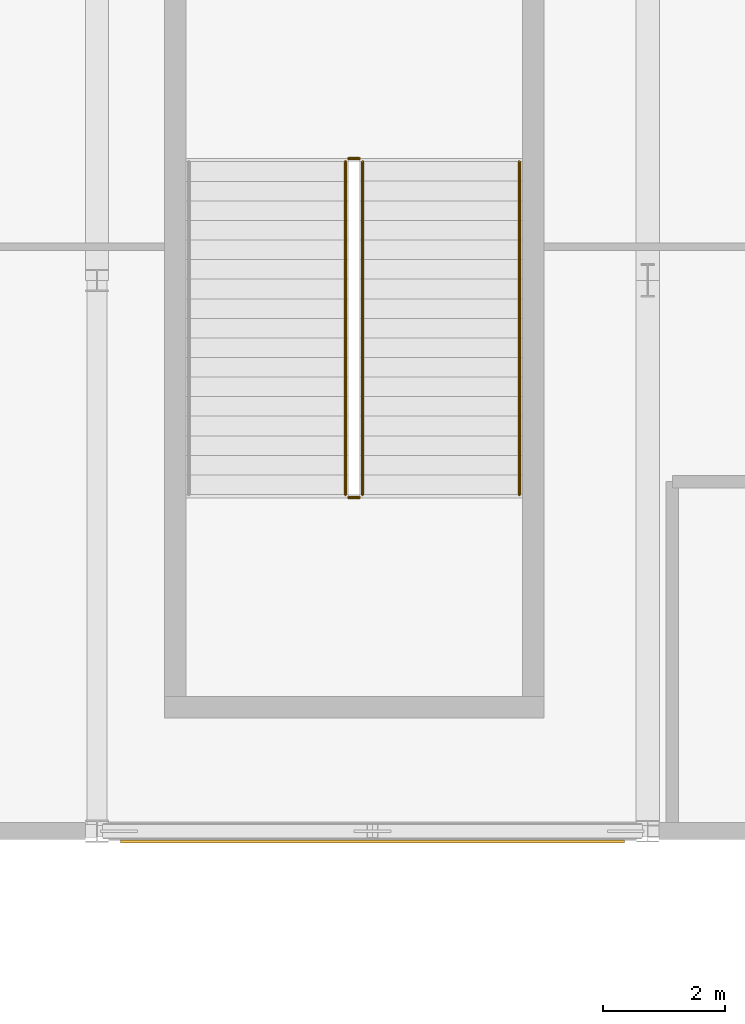
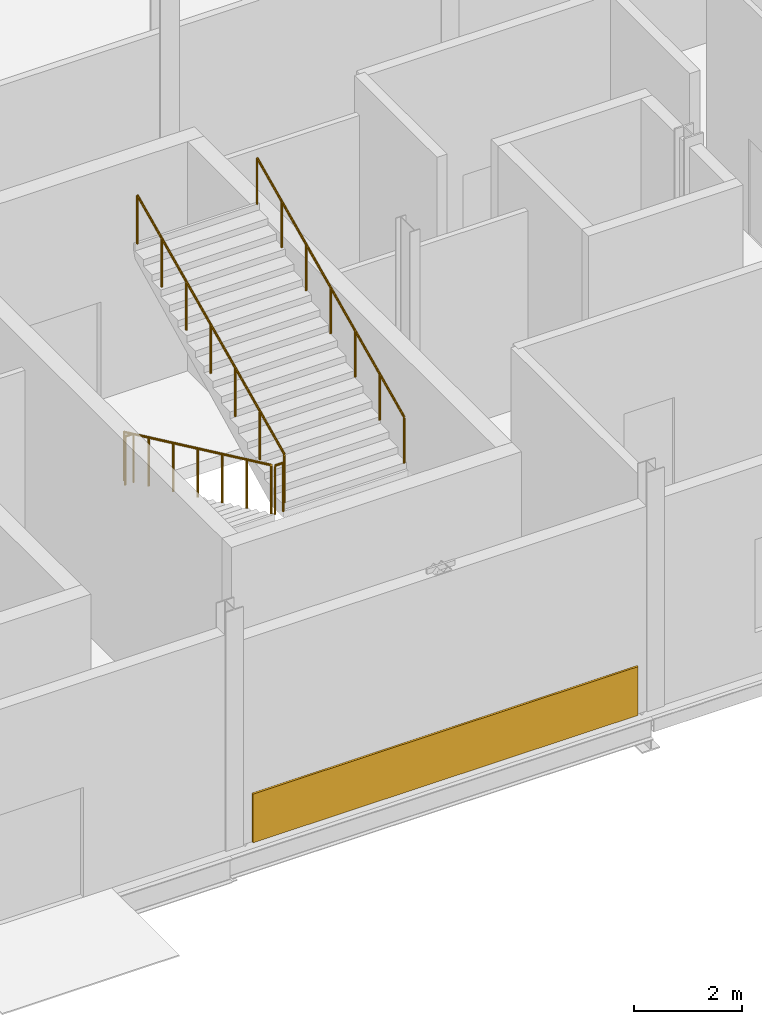
# One storey, part 84 of 94: 5 railings, 1 covering.
"""IFC4 building model written with IfcOpenShell, lengths in metres."""

from ifc_helpers import new_model, si_unit, direction, frame, origin, origin_2d, place, context, subcontext, project, spatial, rectangle, circle, extrude, material, layer, layer_set, type_object, element, save


model = new_model("IFC4")

# Units and contexts
model_context = context("Model", 3, precision=1e-05, world=origin(), true_north=direction((0.0, 1.0)))
body_context = subcontext(model_context, "Body", "Model", "MODEL_VIEW")
ifc_project = project(units=[si_unit("LENGTHUNIT", "METRE"), si_unit("AREAUNIT", "SQUARE_METRE"), si_unit("VOLUMEUNIT", "CUBIC_METRE"), si_unit("PLANEANGLEUNIT", "RADIAN"), si_unit("MASSUNIT", "GRAM", prefix="KILO")], contexts=[model_context])

# Site, building, storey
site_placement = place(None, origin())
site = spatial("IfcSite", under=ifc_project, at=site_placement, CompositionType="ELEMENT")
building_placement = place(site_placement, origin())
building = spatial("IfcBuilding", under=site, at=building_placement, Name="Qamarlyn Nura Convention Centre", CompositionType="ELEMENT")
storey_placement = place(building_placement, origin())
storey = spatial("IfcBuildingStorey", under=building, at=storey_placement, Name="L00", CompositionType="ELEMENT", Elevation=0.0)

# Covering
ifc_material_1 = material(Name="UAE coastal limestone stone cladding", Category="masonry")
ifc_layer = layer(ifc_material_1, 0.044921875, Name="COV-PLINTH-LIME")
ifc_layer_set = layer_set([ifc_layer], Name="UAE coastal limestone stone cladding")
covering_type = type_object("IfcCoveringType", Name="COV-PLINTH-LIME", PredefinedType="CLADDING", material=ifc_layer_set)
covering_placement = place(storey_placement, frame((175.501220703125, -0.16845703125, 0.0), z_axis=(0.0, 0.0, 1.0), x_axis=(-1.0, 0.0, 0.0)))
element("IfcCovering", 1, at=covering_placement, inside=storey, type_object=covering_type, Name="L00 UAE coastal limestone stone plinth cladding WEXT-L00-1798-0-1712-0", PredefinedType="CLADDING", context=body_context, shape_type="SweptSolid", body=[
    extrude(rectangle(XDim=8.228515625, YDim=0.044921875, at=origin_2d()), origin(), (0.0, 0.0, 1.0), 1.10009765625),
])

# Railings
ifc_material_2 = material(Name="Marine Grade 316 stainless steel", Category="steel")
railing_type_1 = type_object("IfcRailingType", Name="GRD-STAIR-112", PredefinedType="BALUSTRADE", material=ifc_material_2)
railing_1_placement = place(storey_placement, frame((175.06005859375, 10.93994140625, 0.14990234375)))
element("IfcRailing", 2, at=railing_1_placement, inside=storey, type_object=railing_type_1, Name="L00 ST-10 stair guard 1", PredefinedType="BALUSTRADE", context=body_context, shape_type="SweptSolid", body=[
    extrude(circle(Radius=0.02392578125, at=origin_2d()), frame((0.0, 0.0, 1.09619140625), z_axis=(0.0, -0.90545405566, 0.424444287379), x_axis=(1.0, 0.0, 0.0)), (0.0, 0.0, 1.0), 6.008056640625),
    extrude(circle(Radius=0.02099609375, at=origin_2d()), origin(), (0.0, 0.0, 1.0), 1.070068359375),
    extrude(circle(Radius=0.02099609375, at=origin_2d()), frame((0.0, -0.90673828125, 0.425048828125)), (0.0, 0.0, 1.0), 1.070068359375),
    extrude(circle(Radius=0.02099609375, at=origin_2d()), frame((0.0, -1.813232421875, 0.85009765625)), (0.0, 0.0, 1.0), 1.070068359375),
    extrude(circle(Radius=0.02099609375, at=origin_2d()), frame((0.0, -2.719970703125, 1.27490234375)), (0.0, 0.0, 1.0), 1.070068359375),
    extrude(circle(Radius=0.02099609375, at=origin_2d()), frame((0.0, -3.626708984375, 1.699951171875)), (0.0, 0.0, 1.0), 1.070068359375),
    extrude(circle(Radius=0.02099609375, at=origin_2d()), frame((0.0, -4.533203125, 2.125)), (0.0, 0.0, 1.0), 1.070068359375),
    extrude(circle(Radius=0.02099609375, at=origin_2d()), frame((0.0, -5.43994140625, 2.550048828125)), (0.0, 0.0, 1.0), 1.070068359375),
])
railing_2_placement = place(storey_placement, frame((175.110107421875, 5.449951171875, 2.699951171875)))
element("IfcRailing", 3, at=railing_2_placement, inside=storey, type_object=railing_type_1, Name="L00 ST-10 stair guard 2", PredefinedType="BALUSTRADE", context=body_context, shape_type="SweptSolid", body=[
    extrude(circle(Radius=0.02392578125, at=origin_2d()), frame((0.0, 0.0, 1.09619140625), z_axis=(1.0, 0.0, 0.0), x_axis=(0.0, 1.0, 0.0)), (0.0, 0.0, 1.0), 0.179931640625),
    extrude(circle(Radius=0.02099609375, at=origin_2d()), origin(), (0.0, 0.0, 1.0), 1.070068359375),
    extrude(circle(Radius=0.02099609375, at=origin_2d()), frame((0.179931640625, 0.0, 0.0)), (0.0, 0.0, 1.0), 1.070068359375),
])
railing_3_placement = place(storey_placement, frame((175.340087890625, 5.5, 2.85009765625)))
element("IfcRailing", 4, at=railing_3_placement, inside=storey, type_object=railing_type_1, Name="L00 ST-10 stair guard 3", PredefinedType="BALUSTRADE", context=body_context, shape_type="SweptSolid", body=[
    extrude(circle(Radius=0.02392578125, at=origin_2d()), frame((0.0, 0.0, 1.09619140625), z_axis=(0.0, 0.90546967238, 0.424410971113), x_axis=(-1.0, 0.0, 0.0)), (0.0, 0.0, 1.0), 6.0078125),
    extrude(circle(Radius=0.02099609375, at=origin_2d()), origin(), (0.0, 0.0, 1.0), 1.070068359375),
    extrude(circle(Radius=0.02099609375, at=origin_2d()), frame((0.0, 0.90673828125, 0.425048828125)), (0.0, 0.0, 1.0), 1.070068359375),
    extrude(circle(Radius=0.02099609375, at=origin_2d()), frame((0.0, 1.813232421875, 0.849853515625)), (0.0, 0.0, 1.0), 1.070068359375),
    extrude(circle(Radius=0.02099609375, at=origin_2d()), frame((0.0, 2.719970703125, 1.27490234375)), (0.0, 0.0, 1.0), 1.070068359375),
    extrude(circle(Radius=0.02099609375, at=origin_2d()), frame((0.0, 3.626708984375, 1.699951171875)), (0.0, 0.0, 1.0), 1.070068359375),
    extrude(circle(Radius=0.02099609375, at=origin_2d()), frame((0.0, 4.533203125, 2.124755859375)), (0.0, 0.0, 1.0), 1.070068359375),
    extrude(circle(Radius=0.02099609375, at=origin_2d()), frame((0.0, 5.43994140625, 2.5498046875)), (0.0, 0.0, 1.0), 1.070068359375),
])
railing_4_placement = place(storey_placement, frame((175.110107421875, 10.989990234375, 0.0)))
element("IfcRailing", 5, at=railing_4_placement, inside=storey, type_object=railing_type_1, Name="L00 ST-10 stair guard 4", PredefinedType="BALUSTRADE", context=body_context, shape_type="SweptSolid", body=[
    extrude(circle(Radius=0.02392578125, at=origin_2d()), frame((0.0, 0.0, 1.09619140625), z_axis=(1.0, 0.0, 0.0), x_axis=(0.0, 1.0, 0.0)), (0.0, 0.0, 1.0), 0.179931640625),
    extrude(circle(Radius=0.02099609375, at=origin_2d()), origin(), (0.0, 0.0, 1.0), 1.070068359375),
    extrude(circle(Radius=0.02099609375, at=origin_2d()), frame((0.179931640625, 0.0, 0.0)), (0.0, 0.0, 1.0), 1.070068359375),
])
railing_type_2 = type_object("IfcRailingType", Name="HRL-STAIR-090", PredefinedType="HANDRAIL", material=ifc_material_2)
railing_5_placement = place(storey_placement, frame((177.89990234375, 5.5, 3.002197265625)))
element("IfcRailing", 6, at=railing_5_placement, inside=storey, type_object=railing_type_2, Name="L00 ST-10 stair handrail 2", PredefinedType="HANDRAIL", context=body_context, shape_type="SweptSolid", body=[
    extrude(circle(Radius=0.02392578125, at=origin_2d()), frame((0.0, 0.0, 0.88818359375), z_axis=(0.0, 0.90545405566, 0.424444287379), x_axis=(-1.0, 0.0, 0.0)), (0.0, 0.0, 1.0), 6.008056640625),
    extrude(circle(Radius=0.02099609375, at=origin_2d()), frame((0.0, 0.0, -0.155029296875)), (0.0, 0.0, 1.0), 1.01708984375),
    extrude(circle(Radius=0.02099609375, at=origin_2d()), frame((0.0, 0.90673828125, 0.27001953125)), (0.0, 0.0, 1.0), 1.01708984375),
    extrude(circle(Radius=0.02099609375, at=origin_2d()), frame((0.0, 1.813232421875, 0.695068359375)), (0.0, 0.0, 1.0), 1.01708984375),
    extrude(circle(Radius=0.02099609375, at=origin_2d()), frame((0.0, 2.719970703125, 1.1201171875)), (0.0, 0.0, 1.0), 1.01708984375),
    extrude(circle(Radius=0.02099609375, at=origin_2d()), frame((0.0, 3.626708984375, 1.544921875)), (0.0, 0.0, 1.0), 1.01708984375),
    extrude(circle(Radius=0.02099609375, at=origin_2d()), frame((0.0, 4.533203125, 1.969970703125)), (0.0, 0.0, 1.0), 1.01708984375),
    extrude(circle(Radius=0.02099609375, at=origin_2d()), frame((0.0, 5.43994140625, 2.39501953125)), (0.0, 0.0, 1.0), 1.01708984375),
])

save(model, "model.ifc")
